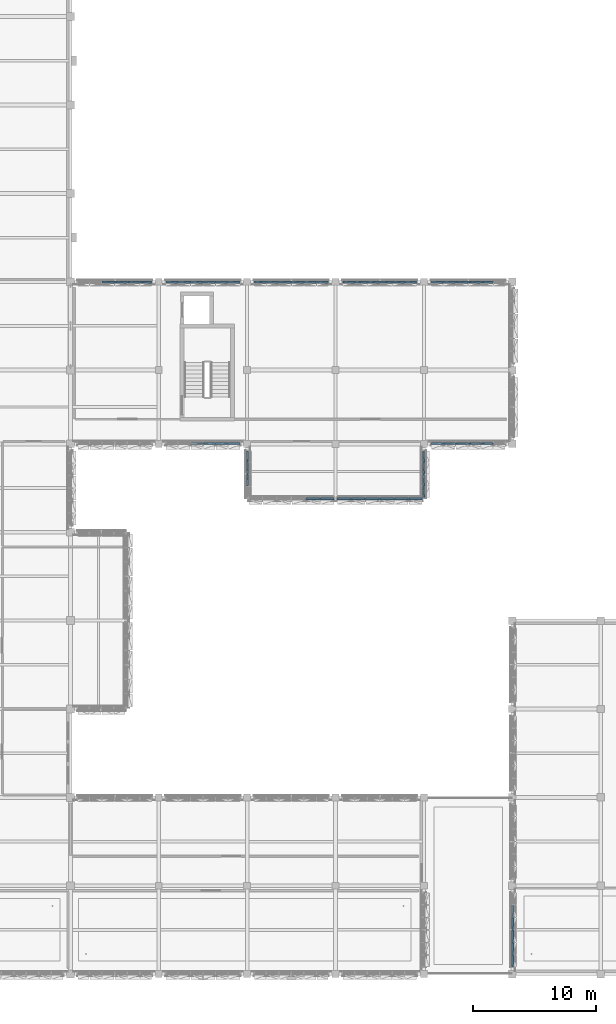
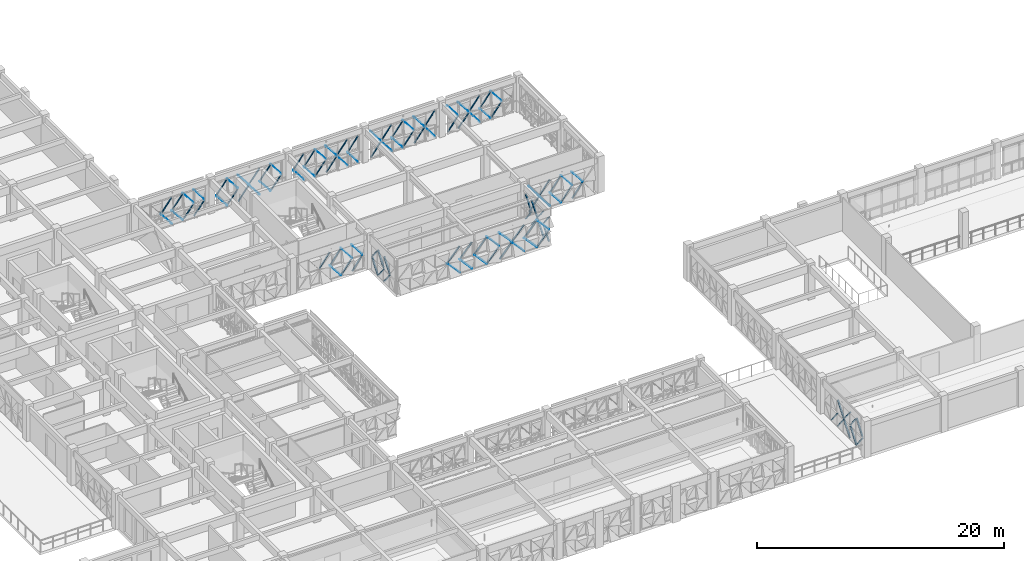
# One storey, part 53 of 85: 110 discrete accessories.
"""IFC4 building model written with IfcOpenShell, lengths in metres."""

from ifc_helpers import new_model, si_unit, direction, frame, origin, origin_2d, place, context, subcontext, project, spatial, rectangle, extrude, material, type_object, element, save


model = new_model("IFC4")

# Units and contexts
model_context = context("Model", 3, precision=1e-05, world=origin(), true_north=direction((0.0, 1.0)))
body_context = subcontext(model_context, "Body", "Model", "MODEL_VIEW")
ifc_project = project(units=[si_unit("LENGTHUNIT", "METRE"), si_unit("AREAUNIT", "SQUARE_METRE"), si_unit("VOLUMEUNIT", "CUBIC_METRE"), si_unit("PLANEANGLEUNIT", "RADIAN"), si_unit("MASSUNIT", "GRAM", prefix="KILO")], contexts=[model_context])

# Site, building, storey
site_placement = place(None, origin())
site = spatial("IfcSite", under=ifc_project, at=site_placement, CompositionType="ELEMENT")
building_placement = place(site_placement, origin())
building = spatial("IfcBuilding", under=site, at=building_placement, Name="Alvorim Cloister Faculty of Sciences", CompositionType="ELEMENT")
storey_placement = place(building_placement, frame((0.0, 0.0, 8.550048828125)))
storey = spatial("IfcBuildingStorey", under=building, at=storey_placement, Name="L02", CompositionType="ELEMENT", Elevation=8.550048828125)

# Discrete accessories
ifc_material = material(Name="Aluminium Alloy 6063-T6", Category="aluminium")
discrete_accessory_type = type_object("IfcDiscreteAccessoryType", Name="ACC-DIAG-BAR", PredefinedType="BRACKET", material=ifc_material)
for number, where, z_axis, x_axis, name in (
    (1, (31.41259765625, 56.37744140625, 1.35498046875), (0.61785742976, -0.006477155362, -0.786263469168), (0.010482676365, 0.999945055239, 0.0), "Diagonal Cassette Glazing Bracket ACC-00552"),
    (2, (31.41259765625, 56.37744140625, 1.494873046875), (0.61785742976, -0.006477155362, 0.786263469168), (0.010482676365, 0.999945055239, 0.0), "Diagonal Cassette Glazing Bracket ACC-00553"),
    (3, (32.4326171875, 56.37744140625, 1.35498046875), (0.61785742976, -0.006477155362, -0.786263469168), (0.010482676365, 0.999945055239, 0.0), "Diagonal Cassette Glazing Bracket ACC-00554"),
    (4, (32.4326171875, 56.37744140625, 1.494873046875), (0.61785742976, -0.006477155362, 0.786263469168), (0.010482676365, 0.999945055239, 0.0), "Diagonal Cassette Glazing Bracket ACC-00555"),
):
    element("IfcDiscreteAccessory", number, at=place(storey_placement, frame(where, z_axis=z_axis, x_axis=x_axis)), inside=storey, type_object=discrete_accessory_type, Name=name, PredefinedType="BRACKET", context=body_context, shape_type="SweptSolid", body=[
        extrude(rectangle(XDim=0.139892578125, YDim=0.044921875, at=origin_2d()), origin(), (0.0, 0.0, 1.0), 1.54541015625),
    ])
for number, where, z_axis, x_axis, name in (
    (5, (33.452392578125, 56.37744140625, 0.139892578125), (0.617955086572, -0.006476523147, 0.786186724404), (0.010479997039, 0.999945083323, 0.0), "Diagonal Cassette Glazing Bracket ACC-00556"),
    (6, (33.452392578125, 56.37744140625, 2.7099609375), (0.617955086572, -0.006476523147, -0.786186724404), (0.010479997039, 0.999945083323, 0.0), "Diagonal Cassette Glazing Bracket ACC-00557"),
):
    element("IfcDiscreteAccessory", number, at=place(storey_placement, frame(where, z_axis=z_axis, x_axis=x_axis)), inside=storey, type_object=discrete_accessory_type, Name=name, PredefinedType="BRACKET", context=body_context, shape_type="SweptSolid", body=[
        extrude(rectangle(XDim=0.139892578125, YDim=0.044921875, at=origin_2d()), origin(), (0.0, 0.0, 1.0), 1.545654296875),
    ])
for number, where, z_axis, x_axis, name in (
    (7, (34.472412109375, 56.37744140625, 0.139892578125), (0.604713142785, -0.006560793558, 0.796416330151), (0.010848792579, 0.999941150118, 0.0), "Diagonal Cassette Glazing Bracket ACC-00558"),
    (8, (34.472412109375, 56.37744140625, 2.7099609375), (0.604713142785, -0.006560793558, -0.796416330151), (0.010848792579, 0.999941150118, 0.0), "Diagonal Cassette Glazing Bracket ACC-00559"),
    (9, (36.60498046875, 56.37744140625, 1.35498046875), (0.604713142785, -0.006560793558, -0.796416330151), (0.010848792579, 0.999941150118, 0.0), "Diagonal Cassette Glazing Bracket ACC-00561"),
    (10, (36.60498046875, 56.37744140625, 1.494873046875), (0.604713142785, -0.006560793558, 0.796416330151), (0.010848792579, 0.999941150118, 0.0), "Diagonal Cassette Glazing Bracket ACC-00562"),
):
    element("IfcDiscreteAccessory", number, at=place(storey_placement, frame(where, z_axis=z_axis, x_axis=x_axis)), inside=storey, type_object=discrete_accessory_type, Name=name, PredefinedType="BRACKET", context=body_context, shape_type="SweptSolid", body=[
        extrude(rectangle(XDim=0.139892578125, YDim=0.044921875, at=origin_2d()), origin(), (0.0, 0.0, 1.0), 1.525634765625),
    ])
for number, where, z_axis, x_axis, name in (
    (11, (37.592529296875, 56.37744140625, 0.139892578125), (0.617955086572, -0.006476523147, 0.786186724404), (0.010479997039, 0.999945083323, 0.0), "Diagonal Cassette Glazing Bracket ACC-00563"),
    (12, (37.592529296875, 56.37744140625, 2.7099609375), (0.617955086572, -0.006476523147, -0.786186724404), (0.010479997039, 0.999945083323, 0.0), "Diagonal Cassette Glazing Bracket ACC-00564"),
):
    element("IfcDiscreteAccessory", number, at=place(storey_placement, frame(where, z_axis=z_axis, x_axis=x_axis)), inside=storey, type_object=discrete_accessory_type, Name=name, PredefinedType="BRACKET", context=body_context, shape_type="SweptSolid", body=[
        extrude(rectangle(XDim=0.139892578125, YDim=0.044921875, at=origin_2d()), origin(), (0.0, 0.0, 1.0), 1.545654296875),
    ])
for number, where, z_axis, x_axis, name in (
    (13, (38.612548828125, 56.37744140625, 0.139892578125), (0.61785742976, -0.006477155362, 0.786263469168), (0.010482676365, 0.999945055239, 0.0), "Diagonal Cassette Glazing Bracket ACC-00565"),
    (14, (38.612548828125, 56.37744140625, 2.7099609375), (0.61785742976, -0.006477155362, -0.786263469168), (0.010482676365, 0.999945055239, 0.0), "Diagonal Cassette Glazing Bracket ACC-00566"),
    (15, (39.632568359375, 56.37744140625, 1.35498046875), (0.61785742976, -0.006477155362, -0.786263469168), (0.010482676365, 0.999945055239, 0.0), "Diagonal Cassette Glazing Bracket ACC-00567"),
    (16, (39.632568359375, 56.37744140625, 1.494873046875), (0.61785742976, -0.006477155362, 0.786263469168), (0.010482676365, 0.999945055239, 0.0), "Diagonal Cassette Glazing Bracket ACC-00568"),
    (17, (40.652587890625, 56.37744140625, 1.35498046875), (0.61785742976, -0.006477155362, -0.786263469168), (0.010482676365, 0.999945055239, 0.0), "Diagonal Cassette Glazing Bracket ACC-00569"),
    (18, (40.652587890625, 56.37744140625, 1.494873046875), (0.61785742976, -0.006477155362, 0.786263469168), (0.010482676365, 0.999945055239, 0.0), "Diagonal Cassette Glazing Bracket ACC-00570"),
):
    element("IfcDiscreteAccessory", number, at=place(storey_placement, frame(where, z_axis=z_axis, x_axis=x_axis)), inside=storey, type_object=discrete_accessory_type, Name=name, PredefinedType="BRACKET", context=body_context, shape_type="SweptSolid", body=[
        extrude(rectangle(XDim=0.139892578125, YDim=0.044921875, at=origin_2d()), origin(), (0.0, 0.0, 1.0), 1.54541015625),
    ])
for number, where, z_axis, x_axis, name in (
    (19, (41.672607421875, 56.37744140625, 0.139892578125), (0.604611624251, -0.006561428426, 0.796493397008), (0.010851663811, 0.999941118963, 0.0), "Diagonal Cassette Glazing Bracket ACC-00571"),
    (20, (41.672607421875, 56.37744140625, 2.7099609375), (0.604611624251, -0.006561428426, -0.796493397008), (0.010851663811, 0.999941118963, 0.0), "Diagonal Cassette Glazing Bracket ACC-00572"),
    (21, (43.804931640625, 56.37744140625, 1.35498046875), (0.604713142785, -0.006560793558, -0.796416330151), (0.010848792579, 0.999941150118, 0.0), "Diagonal Cassette Glazing Bracket ACC-00574"),
    (22, (43.804931640625, 56.37744140625, 1.494873046875), (0.604713142785, -0.006560793558, 0.796416330151), (0.010848792579, 0.999941150118, 0.0), "Diagonal Cassette Glazing Bracket ACC-00575"),
):
    element("IfcDiscreteAccessory", number, at=place(storey_placement, frame(where, z_axis=z_axis, x_axis=x_axis)), inside=storey, type_object=discrete_accessory_type, Name=name, PredefinedType="BRACKET", context=body_context, shape_type="SweptSolid", body=[
        extrude(rectangle(XDim=0.139892578125, YDim=0.044921875, at=origin_2d()), origin(), (0.0, 0.0, 1.0), 1.525634765625),
    ])
for number, where, z_axis, x_axis, name in (
    (23, (44.79248046875, 56.37744140625, 1.35498046875), (0.617955086572, -0.006476523147, -0.786186724404), (0.010479997039, 0.999945083323, 0.0), "Diagonal Cassette Glazing Bracket ACC-00576"),
    (24, (44.79248046875, 56.37744140625, 1.494873046875), (0.617955086572, -0.006476523147, 0.786186724404), (0.010479997039, 0.999945083323, 0.0), "Diagonal Cassette Glazing Bracket ACC-00577"),
    (25, (45.8125, 56.37744140625, 0.139892578125), (0.617955086572, -0.006476523147, 0.786186724404), (0.010479997039, 0.999945083323, 0.0), "Diagonal Cassette Glazing Bracket ACC-00578"),
    (26, (45.8125, 56.37744140625, 2.7099609375), (0.617955086572, -0.006476523147, -0.786186724404), (0.010479997039, 0.999945083323, 0.0), "Diagonal Cassette Glazing Bracket ACC-00579"),
    (27, (46.83251953125, 56.37744140625, 0.139892578125), (0.617955086572, -0.006476523147, 0.786186724404), (0.010479997039, 0.999945083323, 0.0), "Diagonal Cassette Glazing Bracket ACC-00580"),
    (28, (46.83251953125, 56.37744140625, 2.7099609375), (0.617955086572, -0.006476523147, -0.786186724404), (0.010479997039, 0.999945083323, 0.0), "Diagonal Cassette Glazing Bracket ACC-00581"),
    (29, (47.8525390625, 56.37744140625, 1.35498046875), (0.617955086572, -0.006476523147, -0.786186724404), (0.010479997039, 0.999945083323, 0.0), "Diagonal Cassette Glazing Bracket ACC-00582"),
    (30, (47.8525390625, 56.37744140625, 1.494873046875), (0.617955086572, -0.006476523147, 0.786186724404), (0.010479997039, 0.999945083323, 0.0), "Diagonal Cassette Glazing Bracket ACC-00583"),
):
    element("IfcDiscreteAccessory", number, at=place(storey_placement, frame(where, z_axis=z_axis, x_axis=x_axis)), inside=storey, type_object=discrete_accessory_type, Name=name, PredefinedType="BRACKET", context=body_context, shape_type="SweptSolid", body=[
        extrude(rectangle(XDim=0.139892578125, YDim=0.044921875, at=origin_2d()), origin(), (0.0, 0.0, 1.0), 1.545654296875),
    ])
for number, where, z_axis, x_axis, name in (
    (31, (48.87255859375, 56.37744140625, 1.35498046875), (0.604611624251, -0.006561428426, -0.796493397008), (0.010851663811, 0.999941118963, 0.0), "Diagonal Cassette Glazing Bracket ACC-00584"),
    (32, (48.87255859375, 56.37744140625, 1.494873046875), (0.604611624251, -0.006561428426, 0.796493397008), (0.010851663811, 0.999941118963, 0.0), "Diagonal Cassette Glazing Bracket ACC-00585"),
    (33, (51.0048828125, 56.37744140625, 0.139892578125), (0.604713142785, -0.006560793558, 0.796416330151), (0.010848792579, 0.999941150118, 0.0), "Diagonal Cassette Glazing Bracket ACC-00587"),
    (34, (51.0048828125, 56.37744140625, 2.7099609375), (0.604713142785, -0.006560793558, -0.796416330151), (0.010848792579, 0.999941150118, 0.0), "Diagonal Cassette Glazing Bracket ACC-00588"),
):
    element("IfcDiscreteAccessory", number, at=place(storey_placement, frame(where, z_axis=z_axis, x_axis=x_axis)), inside=storey, type_object=discrete_accessory_type, Name=name, PredefinedType="BRACKET", context=body_context, shape_type="SweptSolid", body=[
        extrude(rectangle(XDim=0.139892578125, YDim=0.044921875, at=origin_2d()), origin(), (0.0, 0.0, 1.0), 1.525634765625),
    ])
for number, where, z_axis, x_axis, name in (
    (35, (51.992431640625, 56.37744140625, 1.35498046875), (0.617955086572, -0.006476523147, -0.786186724404), (0.010479997039, 0.999945083323, 0.0), "Diagonal Cassette Glazing Bracket ACC-00589"),
    (36, (51.992431640625, 56.37744140625, 1.494873046875), (0.617955086572, -0.006476523147, 0.786186724404), (0.010479997039, 0.999945083323, 0.0), "Diagonal Cassette Glazing Bracket ACC-00590"),
    (37, (53.012451171875, 56.37744140625, 1.35498046875), (0.617955086572, -0.006476523147, -0.786186724404), (0.010479997039, 0.999945083323, 0.0), "Diagonal Cassette Glazing Bracket ACC-00591"),
    (38, (53.012451171875, 56.37744140625, 1.494873046875), (0.617955086572, -0.006476523147, 0.786186724404), (0.010479997039, 0.999945083323, 0.0), "Diagonal Cassette Glazing Bracket ACC-00592"),
    (39, (54.032470703125, 56.37744140625, 0.139892578125), (0.617955086572, -0.006476523147, 0.786186724404), (0.010479997039, 0.999945083323, 0.0), "Diagonal Cassette Glazing Bracket ACC-00593"),
    (40, (54.032470703125, 56.37744140625, 2.7099609375), (0.617955086572, -0.006476523147, -0.786186724404), (0.010479997039, 0.999945083323, 0.0), "Diagonal Cassette Glazing Bracket ACC-00594"),
    (41, (55.052490234375, 56.37744140625, 0.139892578125), (0.617955086572, -0.006476523147, 0.786186724404), (0.010479997039, 0.999945083323, 0.0), "Diagonal Cassette Glazing Bracket ACC-00595"),
    (42, (55.052490234375, 56.37744140625, 2.7099609375), (0.617955086572, -0.006476523147, -0.786186724404), (0.010479997039, 0.999945083323, 0.0), "Diagonal Cassette Glazing Bracket ACC-00596"),
):
    element("IfcDiscreteAccessory", number, at=place(storey_placement, frame(where, z_axis=z_axis, x_axis=x_axis)), inside=storey, type_object=discrete_accessory_type, Name=name, PredefinedType="BRACKET", context=body_context, shape_type="SweptSolid", body=[
        extrude(rectangle(XDim=0.139892578125, YDim=0.044921875, at=origin_2d()), origin(), (0.0, 0.0, 1.0), 1.545654296875),
    ])
for number, where, z_axis, x_axis, name in (
    (43, (56.072509765625, 56.37744140625, 1.35498046875), (0.604713142785, -0.006560793558, -0.796416330151), (0.010848792579, 0.999941150118, 0.0), "Diagonal Cassette Glazing Bracket ACC-00597"),
    (44, (56.072509765625, 56.37744140625, 1.494873046875), (0.604713142785, -0.006560793558, 0.796416330151), (0.010848792579, 0.999941150118, 0.0), "Diagonal Cassette Glazing Bracket ACC-00598"),
    (45, (58.205078125, 56.37744140625, 0.139892578125), (0.604611624251, -0.006561428426, 0.796493397008), (0.010851663811, 0.999941118963, 0.0), "Diagonal Cassette Glazing Bracket ACC-00600"),
    (46, (58.205078125, 56.37744140625, 2.7099609375), (0.604611624251, -0.006561428426, -0.796493397008), (0.010851663811, 0.999941118963, 0.0), "Diagonal Cassette Glazing Bracket ACC-00601"),
):
    element("IfcDiscreteAccessory", number, at=place(storey_placement, frame(where, z_axis=z_axis, x_axis=x_axis)), inside=storey, type_object=discrete_accessory_type, Name=name, PredefinedType="BRACKET", context=body_context, shape_type="SweptSolid", body=[
        extrude(rectangle(XDim=0.139892578125, YDim=0.044921875, at=origin_2d()), origin(), (0.0, 0.0, 1.0), 1.525634765625),
    ])
for number, where, z_axis, x_axis, name in (
    (47, (59.1923828125, 56.37744140625, 0.139892578125), (0.617955086572, -0.006476523147, 0.786186724404), (0.010479997039, 0.999945083323, 0.0), "Diagonal Cassette Glazing Bracket ACC-00602"),
    (48, (59.1923828125, 56.37744140625, 2.7099609375), (0.617955086572, -0.006476523147, -0.786186724404), (0.010479997039, 0.999945083323, 0.0), "Diagonal Cassette Glazing Bracket ACC-00603"),
    (49, (60.21240234375, 56.37744140625, 1.35498046875), (0.617955086572, -0.006476523147, -0.786186724404), (0.010479997039, 0.999945083323, 0.0), "Diagonal Cassette Glazing Bracket ACC-00604"),
    (50, (60.21240234375, 56.37744140625, 1.494873046875), (0.617955086572, -0.006476523147, 0.786186724404), (0.010479997039, 0.999945083323, 0.0), "Diagonal Cassette Glazing Bracket ACC-00605"),
    (51, (61.232421875, 56.37744140625, 1.35498046875), (0.617955086572, -0.006476523147, -0.786186724404), (0.010479997039, 0.999945083323, 0.0), "Diagonal Cassette Glazing Bracket ACC-00606"),
    (52, (61.232421875, 56.37744140625, 1.494873046875), (0.617955086572, -0.006476523147, 0.786186724404), (0.010479997039, 0.999945083323, 0.0), "Diagonal Cassette Glazing Bracket ACC-00607"),
    (53, (62.25244140625, 56.37744140625, 0.139892578125), (0.617955086572, -0.006476523147, 0.786186724404), (0.010479997039, 0.999945083323, 0.0), "Diagonal Cassette Glazing Bracket ACC-00608"),
    (54, (62.25244140625, 56.37744140625, 2.7099609375), (0.617955086572, -0.006476523147, -0.786186724404), (0.010479997039, 0.999945083323, 0.0), "Diagonal Cassette Glazing Bracket ACC-00609"),
):
    element("IfcDiscreteAccessory", number, at=place(storey_placement, frame(where, z_axis=z_axis, x_axis=x_axis)), inside=storey, type_object=discrete_accessory_type, Name=name, PredefinedType="BRACKET", context=body_context, shape_type="SweptSolid", body=[
        extrude(rectangle(XDim=0.139892578125, YDim=0.044921875, at=origin_2d()), origin(), (0.0, 0.0, 1.0), 1.545654296875),
    ])
for number, where, z_axis, x_axis, name in (
    (55, (58.205078125, 43.222412109375, 0.139892578125), (0.604611624251, 0.006561428426, 0.796493397008), (-0.010851663811, 0.999941118963, 0.0), "Diagonal Cassette Glazing Bracket ACC-00635"),
    (56, (58.205078125, 43.222412109375, 2.7099609375), (0.604611624251, 0.006561428426, -0.796493397008), (-0.010851663811, 0.999941118963, 0.0), "Diagonal Cassette Glazing Bracket ACC-00636"),
):
    element("IfcDiscreteAccessory", number, at=place(storey_placement, frame(where, z_axis=z_axis, x_axis=x_axis)), inside=storey, type_object=discrete_accessory_type, Name=name, PredefinedType="BRACKET", context=body_context, shape_type="SweptSolid", body=[
        extrude(rectangle(XDim=0.139892578125, YDim=0.044921875, at=origin_2d()), origin(), (0.0, 0.0, 1.0), 1.525634765625),
    ])
for number, where, z_axis, x_axis, name in (
    (57, (59.1923828125, 43.222412109375, 1.35498046875), (0.617955086572, 0.006476523147, -0.786186724404), (-0.010479997039, 0.999945083323, 0.0), "Diagonal Cassette Glazing Bracket ACC-00637"),
    (58, (59.1923828125, 43.222412109375, 1.494873046875), (0.617955086572, 0.006476523147, 0.786186724404), (-0.010479997039, 0.999945083323, 0.0), "Diagonal Cassette Glazing Bracket ACC-00638"),
    (59, (60.21240234375, 43.222412109375, 1.35498046875), (0.617955086572, 0.006476523147, -0.786186724404), (-0.010479997039, 0.999945083323, 0.0), "Diagonal Cassette Glazing Bracket ACC-00639"),
    (60, (60.21240234375, 43.222412109375, 1.494873046875), (0.617955086572, 0.006476523147, 0.786186724404), (-0.010479997039, 0.999945083323, 0.0), "Diagonal Cassette Glazing Bracket ACC-00640"),
    (61, (61.232421875, 43.222412109375, 0.139892578125), (0.617955086572, 0.006476523147, 0.786186724404), (-0.010479997039, 0.999945083323, 0.0), "Diagonal Cassette Glazing Bracket ACC-00641"),
    (62, (61.232421875, 43.222412109375, 2.7099609375), (0.617955086572, 0.006476523147, -0.786186724404), (-0.010479997039, 0.999945083323, 0.0), "Diagonal Cassette Glazing Bracket ACC-00642"),
    (63, (62.25244140625, 43.222412109375, 0.139892578125), (0.617955086572, 0.006476523147, 0.786186724404), (-0.010479997039, 0.999945083323, 0.0), "Diagonal Cassette Glazing Bracket ACC-00643"),
    (64, (62.25244140625, 43.222412109375, 2.7099609375), (0.617955086572, 0.006476523147, -0.786186724404), (-0.010479997039, 0.999945083323, 0.0), "Diagonal Cassette Glazing Bracket ACC-00644"),
):
    element("IfcDiscreteAccessory", number, at=place(storey_placement, frame(where, z_axis=z_axis, x_axis=x_axis)), inside=storey, type_object=discrete_accessory_type, Name=name, PredefinedType="BRACKET", context=body_context, shape_type="SweptSolid", body=[
        extrude(rectangle(XDim=0.139892578125, YDim=0.044921875, at=origin_2d()), origin(), (0.0, 0.0, 1.0), 1.545654296875),
    ])
for number, where, z_axis, x_axis, name in (
    (65, (57.577392578125, 38.844970703125, 0.139892578125), (-0.006960531344, 0.606754610349, 0.794858725701), (-0.999934206081, -0.011470985576, 0.0), "Diagonal Cassette Glazing Bracket ACC-00648"),
    (66, (57.577392578125, 38.844970703125, 2.56591796875), (-0.006960531344, 0.606754610349, -0.794858725701), (-0.999934206081, -0.011470985576, 0.0), "Diagonal Cassette Glazing Bracket ACC-00649"),
):
    element("IfcDiscreteAccessory", number, at=place(storey_placement, frame(where, z_axis=z_axis, x_axis=x_axis)), inside=storey, type_object=discrete_accessory_type, Name=name, PredefinedType="BRACKET", context=body_context, shape_type="SweptSolid", body=[
        extrude(rectangle(XDim=0.139892578125, YDim=0.044921875, at=origin_2d()), origin(), (0.0, 0.0, 1.0), 1.43798828125),
    ])
for number, where, z_axis, x_axis, name in (
    (67, (57.577392578125, 39.782470703125, 0.139892578125), (-0.006865384247, 0.620731204977, 0.783993391341), (-0.99993884208, -0.011059480045, 0.0), "Diagonal Cassette Glazing Bracket ACC-00650"),
    (68, (57.577392578125, 39.782470703125, 2.56591796875), (-0.006865384247, 0.620731204977, -0.783993391341), (-0.99993884208, -0.011059480045, 0.0), "Diagonal Cassette Glazing Bracket ACC-00651"),
    (69, (57.577392578125, 40.75244140625, 1.282958984375), (-0.006865384247, 0.620731204977, -0.783993391341), (-0.99993884208, -0.011059480045, 0.0), "Diagonal Cassette Glazing Bracket ACC-00652"),
    (70, (57.577392578125, 40.75244140625, 1.4228515625), (-0.006865384247, 0.620731204977, 0.783993391341), (-0.99993884208, -0.011059480045, 0.0), "Diagonal Cassette Glazing Bracket ACC-00653"),
):
    element("IfcDiscreteAccessory", number, at=place(storey_placement, frame(where, z_axis=z_axis, x_axis=x_axis)), inside=storey, type_object=discrete_accessory_type, Name=name, PredefinedType="BRACKET", context=body_context, shape_type="SweptSolid", body=[
        extrude(rectangle(XDim=0.139892578125, YDim=0.044921875, at=origin_2d()), origin(), (0.0, 0.0, 1.0), 1.4580078125),
    ])
for number, where, z_axis, x_axis, name in (
    (71, (57.577392578125, 41.722412109375, 1.282958984375), (-0.006960531344, 0.606754610349, -0.794858725701), (-0.999934206081, -0.011470985576, 0.0), "Diagonal Cassette Glazing Bracket ACC-00654"),
    (72, (57.577392578125, 41.722412109375, 1.4228515625), (-0.006960531344, 0.606754610349, 0.794858725701), (-0.999934206081, -0.011470985576, 0.0), "Diagonal Cassette Glazing Bracket ACC-00655"),
):
    element("IfcDiscreteAccessory", number, at=place(storey_placement, frame(where, z_axis=z_axis, x_axis=x_axis)), inside=storey, type_object=discrete_accessory_type, Name=name, PredefinedType="BRACKET", context=body_context, shape_type="SweptSolid", body=[
        extrude(rectangle(XDim=0.139892578125, YDim=0.044921875, at=origin_2d()), origin(), (0.0, 0.0, 1.0), 1.43798828125),
    ])
for number, where, z_axis, x_axis, name in (
    (73, (50.544921875, 38.722412109375, 1.3583984375), (0.661877285306, 0.00615769655, -0.749586914219), (-0.009302978394, 0.99995672636, 0.0), "Diagonal Cassette Glazing Bracket ACC-00657"),
    (74, (50.544921875, 38.722412109375, 1.49853515625), (0.661877285306, 0.00615769655, 0.749586914219), (-0.009302978394, 0.99995672636, 0.0), "Diagonal Cassette Glazing Bracket ACC-00658"),
):
    element("IfcDiscreteAccessory", number, at=place(storey_placement, frame(where, z_axis=z_axis, x_axis=x_axis)), inside=storey, type_object=discrete_accessory_type, Name=name, PredefinedType="BRACKET", context=body_context, shape_type="SweptSolid", body=[
        extrude(rectangle(XDim=0.139892578125, YDim=0.044921875, at=origin_2d()), origin(), (0.0, 0.0, 1.0), 1.62548828125),
    ])
for number, where, z_axis, x_axis, name in (
    (75, (51.685791015625, 38.722412109375, 0.139892578125), (0.672881655969, 0.006076684558, 0.73972518611), (-0.009030468767, 0.999959224486, 0.0), "Diagonal Cassette Glazing Bracket ACC-00659"),
    (76, (51.685791015625, 38.722412109375, 2.717041015625), (0.672881655969, 0.006076684558, -0.73972518611), (-0.009030468767, 0.999959224486, 0.0), "Diagonal Cassette Glazing Bracket ACC-00660"),
    (77, (52.859130859375, 38.722412109375, 0.139892578125), (0.672881655969, 0.006076684558, 0.73972518611), (-0.009030468767, 0.999959224486, 0.0), "Diagonal Cassette Glazing Bracket ACC-00661"),
    (78, (52.859130859375, 38.722412109375, 2.717041015625), (0.672881655969, 0.006076684558, -0.73972518611), (-0.009030468767, 0.999959224486, 0.0), "Diagonal Cassette Glazing Bracket ACC-00662"),
    (79, (54.032470703125, 38.722412109375, 1.3583984375), (0.672881655969, 0.006076684558, -0.73972518611), (-0.009030468767, 0.999959224486, 0.0), "Diagonal Cassette Glazing Bracket ACC-00663"),
    (80, (54.032470703125, 38.722412109375, 1.49853515625), (0.672881655969, 0.006076684558, 0.73972518611), (-0.009030468767, 0.999959224486, 0.0), "Diagonal Cassette Glazing Bracket ACC-00664"),
    (81, (55.205810546875, 38.722412109375, 1.3583984375), (0.672881655969, 0.006076684558, -0.73972518611), (-0.009030468767, 0.999959224486, 0.0), "Diagonal Cassette Glazing Bracket ACC-00665"),
    (82, (55.205810546875, 38.722412109375, 1.49853515625), (0.672881655969, 0.006076684558, 0.73972518611), (-0.009030468767, 0.999959224486, 0.0), "Diagonal Cassette Glazing Bracket ACC-00666"),
):
    element("IfcDiscreteAccessory", number, at=place(storey_placement, frame(where, z_axis=z_axis, x_axis=x_axis)), inside=storey, type_object=discrete_accessory_type, Name=name, PredefinedType="BRACKET", context=body_context, shape_type="SweptSolid", body=[
        extrude(rectangle(XDim=0.139892578125, YDim=0.044921875, at=origin_2d()), origin(), (0.0, 0.0, 1.0), 1.647216796875),
    ])
for number, where, z_axis, x_axis, name in (
    (83, (56.379150390625, 38.722412109375, 0.139892578125), (0.661877285306, 0.00615769655, 0.749586914219), (-0.009302978394, 0.99995672636, 0.0), "Diagonal Cassette Glazing Bracket ACC-00667"),
    (84, (56.379150390625, 38.722412109375, 2.717041015625), (0.661877285306, 0.00615769655, -0.749586914219), (-0.009302978394, 0.99995672636, 0.0), "Diagonal Cassette Glazing Bracket ACC-00668"),
):
    element("IfcDiscreteAccessory", number, at=place(storey_placement, frame(where, z_axis=z_axis, x_axis=x_axis)), inside=storey, type_object=discrete_accessory_type, Name=name, PredefinedType="BRACKET", context=body_context, shape_type="SweptSolid", body=[
        extrude(rectangle(XDim=0.139892578125, YDim=0.044921875, at=origin_2d()), origin(), (0.0, 0.0, 1.0), 1.62548828125),
    ])
for number, where, z_axis, x_axis, name in (
    (85, (48.005859375, 38.722412109375, 1.3583984375), (0.672881655969, 0.006076684558, -0.73972518611), (-0.009030468767, 0.999959224486, 0.0), "Diagonal Cassette Glazing Bracket ACC-00678"),
    (86, (48.005859375, 38.722412109375, 1.49853515625), (0.672881655969, 0.006076684558, 0.73972518611), (-0.009030468767, 0.999959224486, 0.0), "Diagonal Cassette Glazing Bracket ACC-00679"),
):
    element("IfcDiscreteAccessory", number, at=place(storey_placement, frame(where, z_axis=z_axis, x_axis=x_axis)), inside=storey, type_object=discrete_accessory_type, Name=name, PredefinedType="BRACKET", context=body_context, shape_type="SweptSolid", body=[
        extrude(rectangle(XDim=0.139892578125, YDim=0.044921875, at=origin_2d()), origin(), (0.0, 0.0, 1.0), 1.647216796875),
    ])
for number, where, z_axis, x_axis, name in (
    (87, (49.17919921875, 38.722412109375, 1.3583984375), (0.661792879469, 0.006158308683, -0.749661430193), (-0.009305089645, 0.999956706716, 0.0), "Diagonal Cassette Glazing Bracket ACC-00680"),
    (88, (49.17919921875, 38.722412109375, 1.49853515625), (0.661792879469, 0.006158308683, 0.749661430193), (-0.009305089645, 0.999956706716, 0.0), "Diagonal Cassette Glazing Bracket ACC-00681"),
):
    element("IfcDiscreteAccessory", number, at=place(storey_placement, frame(where, z_axis=z_axis, x_axis=x_axis)), inside=storey, type_object=discrete_accessory_type, Name=name, PredefinedType="BRACKET", context=body_context, shape_type="SweptSolid", body=[
        extrude(rectangle(XDim=0.139892578125, YDim=0.044921875, at=origin_2d()), origin(), (0.0, 0.0, 1.0), 1.62548828125),
    ])
for number, where, z_axis, x_axis, name in (
    (89, (43.222412109375, 39.782470703125, 1.282958984375), (0.006865384247, 0.620731204977, -0.783993391341), (-0.99993884208, 0.011059480045, 0.0), "Diagonal Cassette Glazing Bracket ACC-00685"),
    (90, (43.222412109375, 39.782470703125, 1.4228515625), (0.006865384247, 0.620731204977, 0.783993391341), (-0.99993884208, 0.011059480045, 0.0), "Diagonal Cassette Glazing Bracket ACC-00686"),
    (91, (43.222412109375, 40.75244140625, 1.282958984375), (0.006865384247, 0.620731204977, -0.783993391341), (-0.99993884208, 0.011059480045, 0.0), "Diagonal Cassette Glazing Bracket ACC-00687"),
    (92, (43.222412109375, 40.75244140625, 1.4228515625), (0.006865384247, 0.620731204977, 0.783993391341), (-0.99993884208, 0.011059480045, 0.0), "Diagonal Cassette Glazing Bracket ACC-00688"),
):
    element("IfcDiscreteAccessory", number, at=place(storey_placement, frame(where, z_axis=z_axis, x_axis=x_axis)), inside=storey, type_object=discrete_accessory_type, Name=name, PredefinedType="BRACKET", context=body_context, shape_type="SweptSolid", body=[
        extrude(rectangle(XDim=0.139892578125, YDim=0.044921875, at=origin_2d()), origin(), (0.0, 0.0, 1.0), 1.4580078125),
    ])
for number, where, z_axis, x_axis, name in (
    (93, (43.222412109375, 41.722412109375, 0.139892578125), (0.006960531344, 0.606754610349, 0.794858725701), (-0.999934206081, 0.011470985576, 0.0), "Diagonal Cassette Glazing Bracket ACC-00689"),
    (94, (43.222412109375, 41.722412109375, 2.56591796875), (0.006960531344, 0.606754610349, -0.794858725701), (-0.999934206081, 0.011470985576, 0.0), "Diagonal Cassette Glazing Bracket ACC-00690"),
):
    element("IfcDiscreteAccessory", number, at=place(storey_placement, frame(where, z_axis=z_axis, x_axis=x_axis)), inside=storey, type_object=discrete_accessory_type, Name=name, PredefinedType="BRACKET", context=body_context, shape_type="SweptSolid", body=[
        extrude(rectangle(XDim=0.139892578125, YDim=0.044921875, at=origin_2d()), origin(), (0.0, 0.0, 1.0), 1.43798828125),
    ])
for number, where, z_axis, x_axis, name in (
    (95, (38.612548828125, 43.222412109375, 1.494873046875), (0.61785742976, 0.006477155362, 0.786263469168), (-0.010482676365, 0.999945055239, 0.0), "Diagonal Cassette Glazing Bracket ACC-00697"),
    (96, (39.632568359375, 43.222412109375, 1.35498046875), (0.61785742976, 0.006477155362, -0.786263469168), (-0.010482676365, 0.999945055239, 0.0), "Diagonal Cassette Glazing Bracket ACC-00698"),
    (97, (39.632568359375, 43.222412109375, 1.494873046875), (0.61785742976, 0.006477155362, 0.786263469168), (-0.010482676365, 0.999945055239, 0.0), "Diagonal Cassette Glazing Bracket ACC-00699"),
    (98, (40.652587890625, 43.222412109375, 0.139892578125), (0.61785742976, 0.006477155362, 0.786263469168), (-0.010482676365, 0.999945055239, 0.0), "Diagonal Cassette Glazing Bracket ACC-00700"),
    (99, (40.652587890625, 43.222412109375, 2.7099609375), (0.61785742976, 0.006477155362, -0.786263469168), (-0.010482676365, 0.999945055239, 0.0), "Diagonal Cassette Glazing Bracket ACC-00701"),
):
    element("IfcDiscreteAccessory", number, at=place(storey_placement, frame(where, z_axis=z_axis, x_axis=x_axis)), inside=storey, type_object=discrete_accessory_type, Name=name, PredefinedType="BRACKET", context=body_context, shape_type="SweptSolid", body=[
        extrude(rectangle(XDim=0.139892578125, YDim=0.044921875, at=origin_2d()), origin(), (0.0, 0.0, 1.0), 1.54541015625),
    ])
for number, where, z_axis, x_axis, name in (
    (100, (41.672607421875, 43.222412109375, 0.139892578125), (0.604611624251, 0.006561428426, 0.796493397008), (-0.010851663811, 0.999941118963, 0.0), "Diagonal Cassette Glazing Bracket ACC-00702"),
    (101, (41.672607421875, 43.222412109375, 2.7099609375), (0.604611624251, 0.006561428426, -0.796493397008), (-0.010851663811, 0.999941118963, 0.0), "Diagonal Cassette Glazing Bracket ACC-00703"),
    (102, (64.822509765625, 0.60498046875, 1.35498046875), (0.006560793558, 0.604713142785, -0.796416330151), (-0.999941150118, 0.010848792579, 0.0), "Diagonal Cassette Glazing Bracket ACC-00970"),
    (103, (64.822509765625, 0.60498046875, 1.494873046875), (0.006560793558, 0.604713142785, 0.796416330151), (-0.999941150118, 0.010848792579, 0.0), "Diagonal Cassette Glazing Bracket ACC-00971"),
):
    element("IfcDiscreteAccessory", number, at=place(storey_placement, frame(where, z_axis=z_axis, x_axis=x_axis)), inside=storey, type_object=discrete_accessory_type, Name=name, PredefinedType="BRACKET", context=body_context, shape_type="SweptSolid", body=[
        extrude(rectangle(XDim=0.139892578125, YDim=0.044921875, at=origin_2d()), origin(), (0.0, 0.0, 1.0), 1.525634765625),
    ])
for number, where, z_axis, x_axis, name in (
    (104, (64.822509765625, 1.592529296875, 0.139892578125), (0.006476523147, 0.617955086572, 0.786186724404), (-0.999945083323, 0.010479997039, 0.0), "Diagonal Cassette Glazing Bracket ACC-00972"),
    (105, (64.822509765625, 1.592529296875, 2.7099609375), (0.006476523147, 0.617955086572, -0.786186724404), (-0.999945083323, 0.010479997039, 0.0), "Diagonal Cassette Glazing Bracket ACC-00973"),
):
    element("IfcDiscreteAccessory", number, at=place(storey_placement, frame(where, z_axis=z_axis, x_axis=x_axis)), inside=storey, type_object=discrete_accessory_type, Name=name, PredefinedType="BRACKET", context=body_context, shape_type="SweptSolid", body=[
        extrude(rectangle(XDim=0.139892578125, YDim=0.044921875, at=origin_2d()), origin(), (0.0, 0.0, 1.0), 1.545654296875),
    ])
for number, where, z_axis, x_axis, name in (
    (106, (64.822509765625, 2.612548828125, 0.139892578125), (0.006477155362, 0.61785742976, 0.786263469168), (-0.999945055239, 0.010482676365, 0.0), "Diagonal Cassette Glazing Bracket ACC-00974"),
    (107, (64.822509765625, 2.612548828125, 2.7099609375), (0.006477155362, 0.61785742976, -0.786263469168), (-0.999945055239, 0.010482676365, 0.0), "Diagonal Cassette Glazing Bracket ACC-00975"),
    (108, (64.822509765625, 3.632568359375, 1.35498046875), (0.006477155362, 0.61785742976, -0.786263469168), (-0.999945055239, 0.010482676365, 0.0), "Diagonal Cassette Glazing Bracket ACC-00976"),
    (109, (64.822509765625, 3.632568359375, 1.494873046875), (0.006477155362, 0.61785742976, 0.786263469168), (-0.999945055239, 0.010482676365, 0.0), "Diagonal Cassette Glazing Bracket ACC-00977"),
    (110, (64.822509765625, 4.652587890625, 1.35498046875), (0.006477155362, 0.61785742976, -0.786263469168), (-0.999945055239, 0.010482676365, 0.0), "Diagonal Cassette Glazing Bracket ACC-00978"),
):
    element("IfcDiscreteAccessory", number, at=place(storey_placement, frame(where, z_axis=z_axis, x_axis=x_axis)), inside=storey, type_object=discrete_accessory_type, Name=name, PredefinedType="BRACKET", context=body_context, shape_type="SweptSolid", body=[
        extrude(rectangle(XDim=0.139892578125, YDim=0.044921875, at=origin_2d()), origin(), (0.0, 0.0, 1.0), 1.54541015625),
    ])

save(model, "model.ifc")
